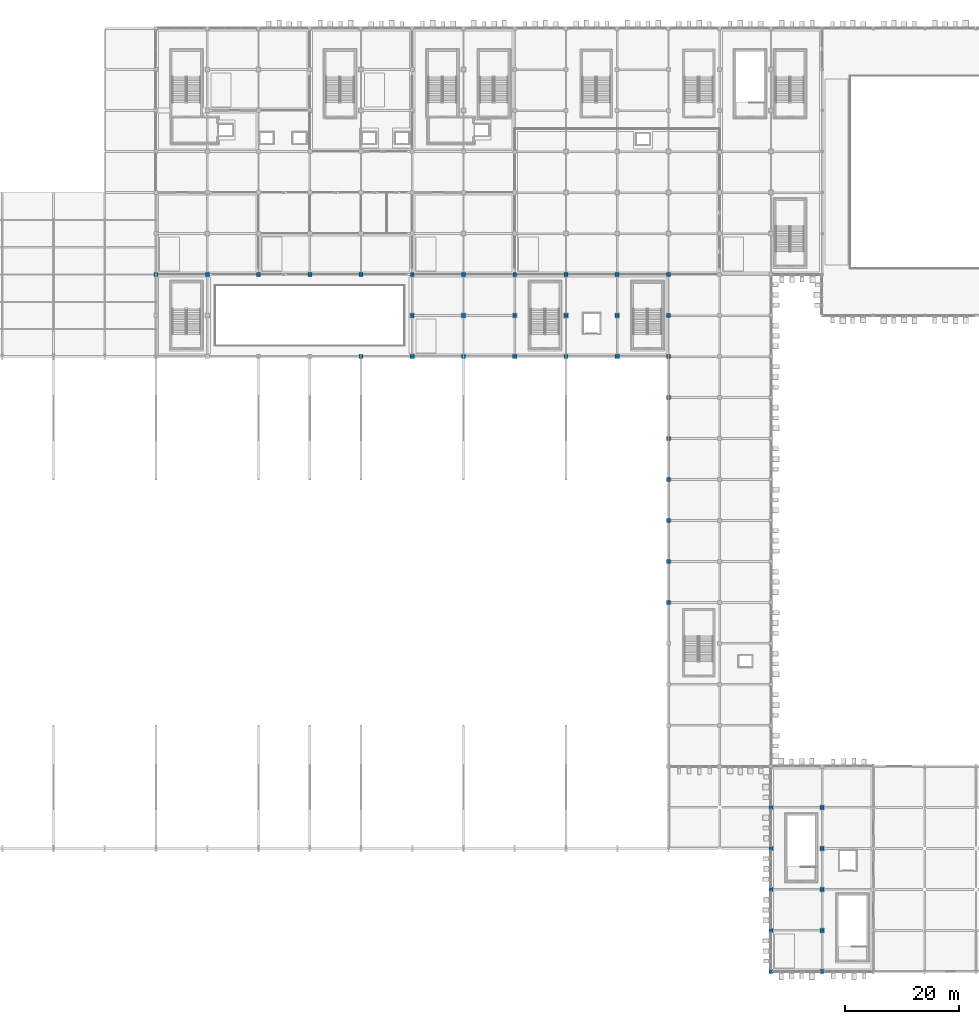
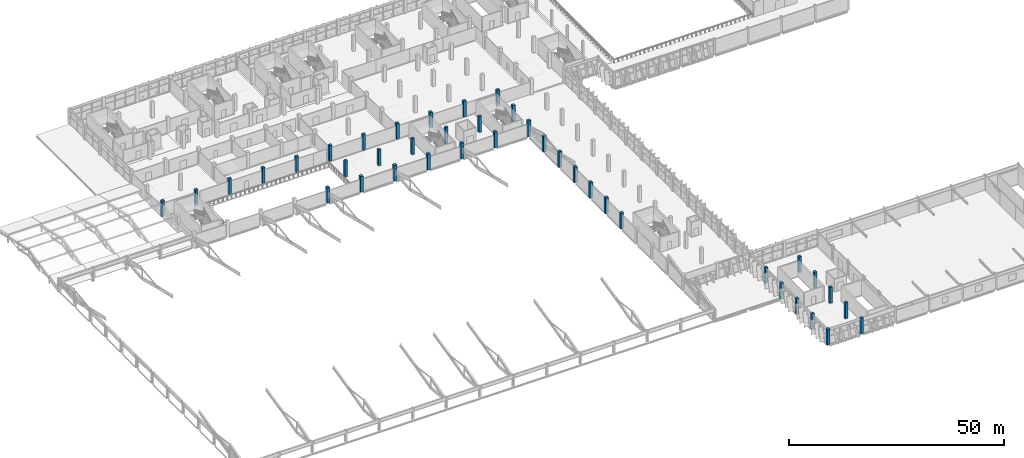
# One storey, part 4 of 151: 40 columns.
"""IFC4 building model written with IfcOpenShell, lengths in metres."""

from ifc_helpers import new_model, si_unit, direction, frame, origin, origin_2d, place, context, subcontext, project, spatial, rectangle, extrude, material, material_profile, profile_set, type_object, element, save


model = new_model("IFC4")

# Units and contexts
model_context = context("Model", 3, precision=1e-05, world=origin(), true_north=direction((0.0, 1.0)))
body_context = subcontext(model_context, "Body", "Model", "MODEL_VIEW")
ifc_project = project(units=[si_unit("LENGTHUNIT", "METRE"), si_unit("AREAUNIT", "SQUARE_METRE"), si_unit("VOLUMEUNIT", "CUBIC_METRE"), si_unit("PLANEANGLEUNIT", "RADIAN"), si_unit("MASSUNIT", "GRAM", prefix="KILO")], contexts=[model_context])

# Site, building, storey
site_placement = place(None, origin())
site = spatial("IfcSite", under=ifc_project, at=site_placement, CompositionType="ELEMENT")
building_placement = place(site_placement, origin())
building = spatial("IfcBuilding", under=site, at=building_placement, Name="Celestram Park Convention Centre", CompositionType="ELEMENT")
storey_placement = place(building_placement, frame((0.0, 0.0, 10.800048828125)))
storey = spatial("IfcBuildingStorey", under=building, at=storey_placement, Name="L02", CompositionType="ELEMENT", Elevation=10.800048828125)

# Columns
ifc_material = material(Name="Concrete C40/50", Category="concrete")
ifc_material_profile_1 = material_profile(ifc_material, rectangle(XDim=0.699951171875, YDim=0.699951171875, at=origin_2d()), Name="RC700X700")
ifc_profile_set_1 = profile_set([ifc_material_profile_1], Name="Concrete C40/50")
column_type_1 = type_object("IfcColumnType", Name="STR-COL-RC700", PredefinedType="COLUMN", material=ifc_profile_set_1)
for number, where, z_axis, x_axis, name in (
    (1, (36.0, 122.39990234375, 0.0), (0.0, 0.0, 1.0), (1.0, 0.0, 0.0), "Column CN-L02-023"),
    (2, (45.0, 122.39990234375, 0.0), (0.0, 0.0, 1.0), (1.0, 0.0, 0.0), "Column CN-L02-033"),
    (3, (54.0, 122.39990234375, 0.0), (0.0, 0.0, 1.0), (1.0, 0.0, 0.0), "Column CN-L02-042"),
    (4, (63.0, 122.39990234375, 0.0), (0.0, 0.0, 1.0), (1.0, 0.0, 0.0), "Column CN-L02-051"),
    (5, (72.0, 122.39990234375, 0.0), (0.0, 0.0, 1.0), (1.0, 0.0, 0.0), "Column CN-L02-060"),
    (6, (81.0, 115.199951171875, 0.0), (0.0, 0.0, 1.0), (1.0, 0.0, 0.0), "Column CN-L02-069"),
    (7, (81.0, 122.39990234375, 0.0), (0.0, 0.0, 1.0), (1.0, 0.0, 0.0), "Column CN-L02-070"),
    (8, (90.0, 115.199951171875, 0.0), (0.0, 0.0, 1.0), (1.0, 0.0, 0.0), "Column CN-L02-079"),
    (9, (90.0, 122.39990234375, 0.0), (0.0, 0.0, 1.0), (1.0, 0.0, 0.0), "Column CN-L02-080"),
    (10, (99.0, 115.199951171875, 0.0), (0.0, 0.0, 1.0), (1.0, 0.0, 0.0), "Column CN-L02-089"),
    (11, (99.0, 122.39990234375, 0.0), (0.0, 0.0, 1.0), (1.0, 0.0, 0.0), "Column CN-L02-090"),
    (12, (108.0, 115.199951171875, 0.0), (0.0, 0.0, 1.0), (1.0, 0.0, 0.0), "Column CN-L02-099"),
    (13, (108.0, 122.39990234375, 0.0), (0.0, 0.0, 1.0), (1.0, 0.0, 0.0), "Column CN-L02-100"),
    (14, (117.0, 115.199951171875, 0.0), (0.0, 0.0, 1.0), (1.0, 0.0, 0.0), "Column CN-L02-109"),
    (15, (117.0, 122.39990234375, 0.0), (0.0, 0.0, 1.0), (1.0, 0.0, 0.0), "Column CN-L02-110"),
    (16, (126.0, 115.199951171875, 0.0), (0.0, 0.0, 1.0), (1.0, 0.0, 0.0), "Column CN-L02-130"),
    (17, (126.0, 122.39990234375, 0.0), (0.0, 0.0, 1.0), (1.0, 0.0, 0.0), "Column CN-L02-131"),
    (18, (144.0, 0.0, 0.0), (0.0, 0.0, 1.0), (1.0, 0.0, 0.0), "Column CN-L02-157"),
    (19, (144.0, 7.199951171875, 0.0), (0.0, 0.0, 1.0), (1.0, 0.0, 0.0), "Column CN-L02-158"),
    (20, (144.0, 14.39990234375, 0.0), (0.0, 0.0, 1.0), (1.0, 0.0, 0.0), "Column CN-L02-159"),
    (21, (144.0, 21.60009765625, 0.0), (0.0, 0.0, 1.0), (1.0, 0.0, 0.0), "Column CN-L02-160"),
    (22, (144.0, 28.800048828125, 0.0), (0.0, 0.0, 1.0), (1.0, 0.0, 0.0), "Column CN-L02-161"),
    (23, (153.0, 0.0, 0.0), (0.0, 0.0, 1.0), (1.0, 0.0, 0.0), "Column CN-L02-181"),
    (24, (153.0, 7.199951171875, 0.0), (0.0, 0.0, 1.0), (1.0, 0.0, 0.0), "Column CN-L02-182"),
    (25, (153.0, 14.39990234375, 0.0), (0.0, 0.0, 1.0), (1.0, 0.0, 0.0), "Column CN-L02-183"),
    (26, (153.0, 21.60009765625, 0.0), (0.0, 0.0, 1.0), (1.0, 0.0, 0.0), "Column CN-L02-184"),
    (27, (153.0, 28.800048828125, 0.0), (0.0, 0.0, 1.0), (1.0, 0.0, 0.0), "Column CN-L02-185"),
):
    element("IfcColumn", number, at=place(storey_placement, frame(where, z_axis=z_axis, x_axis=x_axis)), inside=storey, type_object=column_type_1, Name=name, PredefinedType="COLUMN", context=body_context, shape_type="SweptSolid", body=[
        extrude(rectangle(XDim=0.699951171875, YDim=0.699951171875, at=origin_2d()), origin(), (0.0, 0.0, 1.0), 4.5),
    ])
ifc_material_profile_2 = material_profile(ifc_material, rectangle(XDim=0.75, YDim=0.75, at=origin_2d()), Name="RC750X750")
ifc_profile_set_2 = profile_set([ifc_material_profile_2], Name="Concrete C40/50")
column_type_2 = type_object("IfcColumnType", Name="STR-COL-RC750", PredefinedType="COLUMN", material=ifc_profile_set_2)
for number, where, z_axis, x_axis, name in (
    (28, (72.0, 108.0, 0.0), (0.0, 0.0, 1.0), (1.0, 0.0, 0.0), "Column CN-L02-059"),
    (29, (81.0, 108.0, 0.0), (0.0, 0.0, 1.0), (1.0, 0.0, 0.0), "Column CN-L02-068"),
    (30, (90.0, 108.0, 0.0), (0.0, 0.0, 1.0), (1.0, 0.0, 0.0), "Column CN-L02-078"),
    (31, (99.0, 108.0, 0.0), (0.0, 0.0, 1.0), (1.0, 0.0, 0.0), "Column CN-L02-088"),
    (32, (108.0, 108.0, 0.0), (0.0, 0.0, 1.0), (1.0, 0.0, 0.0), "Column CN-L02-098"),
    (33, (117.0, 108.0, 0.0), (0.0, 0.0, 1.0), (1.0, 0.0, 0.0), "Column CN-L02-108"),
    (34, (126.0, 64.800048828125, 0.0), (0.0, 0.0, 1.0), (1.0, 0.0, 0.0), "Column CN-L02-123"),
    (35, (126.0, 72.0, 0.0), (0.0, 0.0, 1.0), (1.0, 0.0, 0.0), "Column CN-L02-124"),
    (36, (126.0, 79.199951171875, 0.0), (0.0, 0.0, 1.0), (1.0, 0.0, 0.0), "Column CN-L02-125"),
    (37, (126.0, 86.39990234375, 0.0), (0.0, 0.0, 1.0), (1.0, 0.0, 0.0), "Column CN-L02-126"),
    (38, (126.0, 93.60009765625, 0.0), (0.0, 0.0, 1.0), (1.0, 0.0, 0.0), "Column CN-L02-127"),
    (39, (126.0, 100.800048828125, 0.0), (0.0, 0.0, 1.0), (1.0, 0.0, 0.0), "Column CN-L02-128"),
    (40, (126.0, 108.0, 0.0), (0.0, 0.0, 1.0), (1.0, 0.0, 0.0), "Column CN-L02-129"),
):
    element("IfcColumn", number, at=place(storey_placement, frame(where, z_axis=z_axis, x_axis=x_axis)), inside=storey, type_object=column_type_2, Name=name, PredefinedType="COLUMN", context=body_context, shape_type="SweptSolid", body=[
        extrude(rectangle(XDim=0.75, YDim=0.75, at=origin_2d()), origin(), (0.0, 0.0, 1.0), 4.5),
    ])

save(model, "model.ifc")
